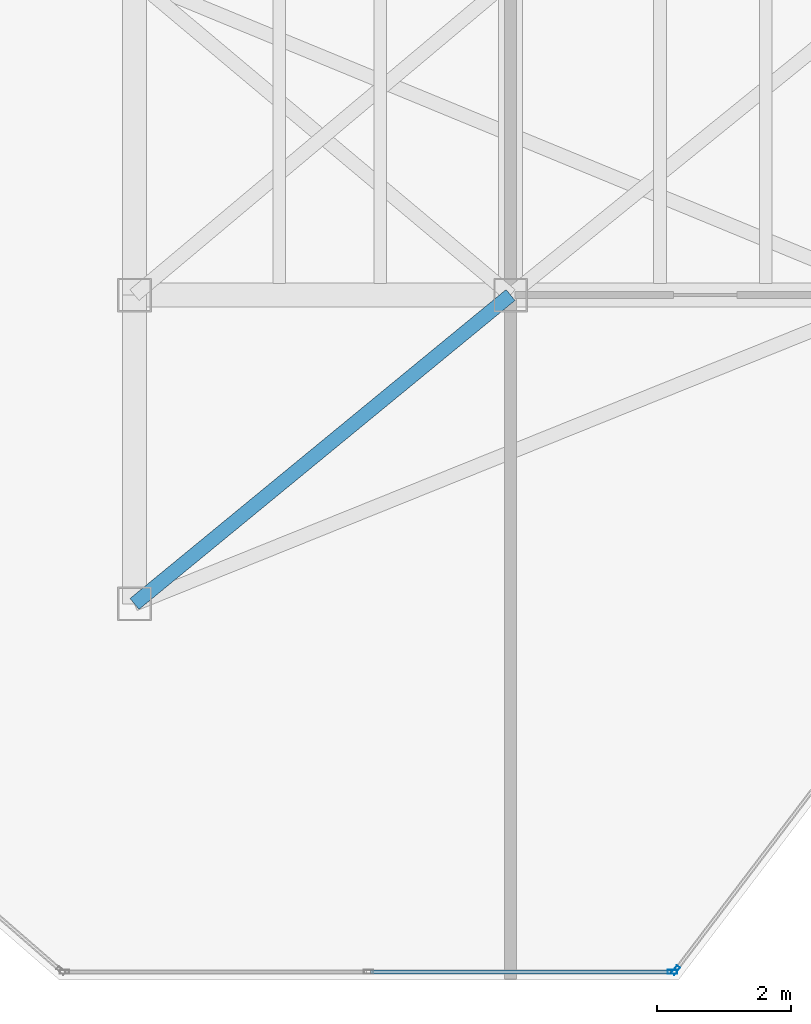
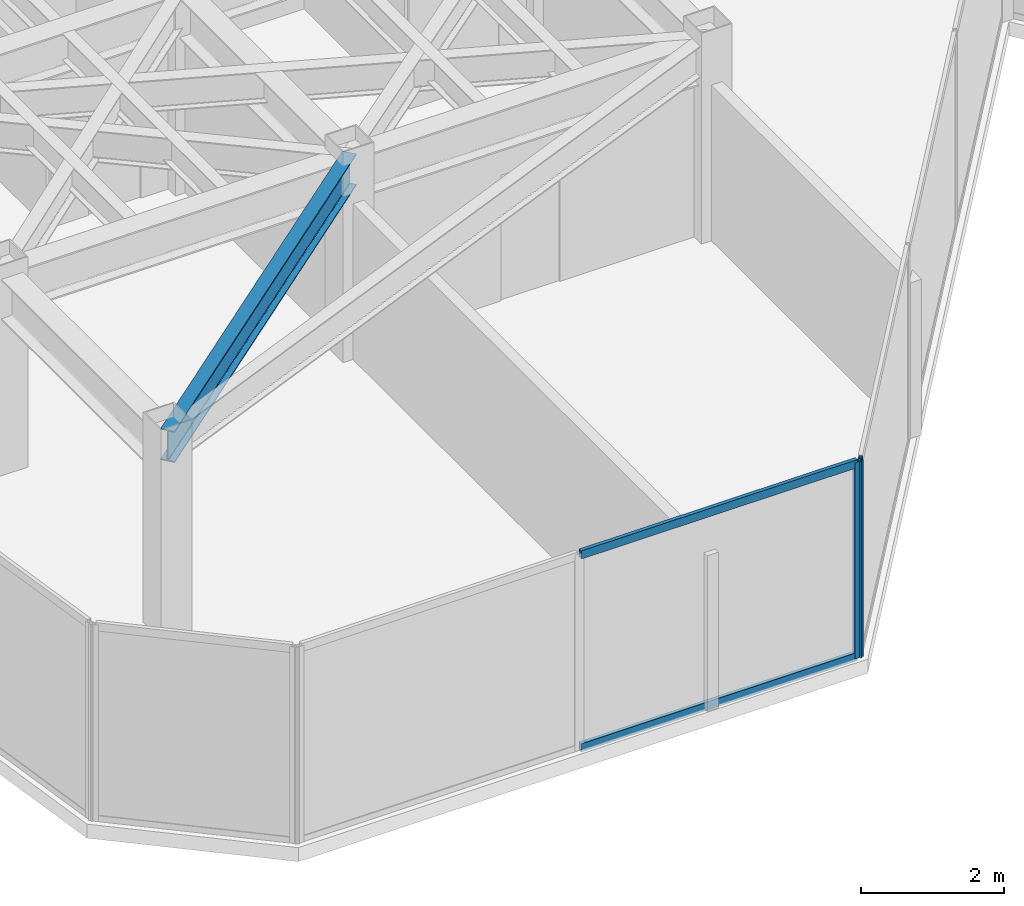
# One storey, part 3 of 20: 4 members, 1 beam, 2 elements without a shape of their own.
"""IFC4 building model written with IfcOpenShell, lengths in metres."""

from ifc_helpers import new_model, si_unit, direction, frame, origin, origin_2d, place, context, subcontext, project, spatial, hollow_rectangle, i_section, extrude, material, layer, layer_set, material_profile, profile_set, type_object, element, aggregate, save


model = new_model("IFC4")

# Units and contexts
model_context = context("Model", 3, precision=1e-05, world=origin(), true_north=direction((0.0, 1.0)))
body_context = subcontext(model_context, "Body", "Model", "MODEL_VIEW")
ifc_project = project(units=[si_unit("LENGTHUNIT", "METRE"), si_unit("AREAUNIT", "SQUARE_METRE"), si_unit("VOLUMEUNIT", "CUBIC_METRE"), si_unit("PLANEANGLEUNIT", "RADIAN"), si_unit("MASSUNIT", "GRAM", prefix="KILO")], contexts=[model_context])

# Site, building, storey
site_placement = place(None, origin())
site = spatial("IfcSite", under=ifc_project, at=site_placement, CompositionType="ELEMENT")
building_placement = place(site_placement, origin())
building = spatial("IfcBuilding", under=site, at=building_placement, Name="Kravanh Interchange Tower", CompositionType="ELEMENT")
storey_placement = place(building_placement, frame((0.0, 0.0, 238.199951171875)))
storey = spatial("IfcBuildingStorey", under=building, at=storey_placement, Name="L57", CompositionType="ELEMENT", Elevation=238.199951171875)

# Curtain wall, member
ifc_material_1 = material(Name="Anodised Bronze Aluminium", Category="aluminium")
ifc_layer = layer(ifc_material_1, 0.179931640625)
ifc_layer_set = layer_set([ifc_layer], Name="Unitised Curtain Wall System CW-HTL Luxury Hotel")
curtain_wall_type = type_object("IfcCurtainWallType", Name="Unitised Curtain Wall System CW-HTL Luxury Hotel", PredefinedType="NOTDEFINED", material=ifc_layer_set)
curtain_wall_1_placement = place(storey_placement, origin())
curtain_wall_1 = element("IfcCurtainWall", 1, at=curtain_wall_1_placement, inside=storey, type_object=curtain_wall_type, Name="L57 Unitised Curtain Wall CW-L57-05", PredefinedType="NOTDEFINED")
ifc_material_2 = material(Name="Anodised Bronze Aluminium", Category="aluminium")
ifc_material_profile_1 = material_profile(ifc_material_2, hollow_rectangle(XDim=0.06005859375, YDim=0.139892578125, WallThickness=0.00390625, at=origin_2d()), Name="ALU60X140X4")
ifc_profile_set_1 = profile_set([ifc_material_profile_1], Name="Anodised Bronze Aluminium")
member_type_1 = type_object("IfcMemberType", Name="Curtain Wall Mullion ALU60X140X4 Bronze", PredefinedType="MULLION", material=ifc_profile_set_1)
member_1_placement = place(storey_placement, frame((35.258544921875, 16.743896484375, 0.0), z_axis=(0.0, 0.0, 1.0), x_axis=(0.79616243806, -0.605082946564, 0.0)))
member_1 = element("IfcMember", 2, at=member_1_placement, type_object=member_type_1, Name="CW-HTL mullion 4", PredefinedType="MULLION", context=body_context, shape_type="SweptSolid", body=[
    extrude(hollow_rectangle(XDim=0.06005859375, YDim=0.139892578125, WallThickness=0.00390625, at=origin_2d()), origin(), (0.0, 0.0, 1.0), 3.360107421875),
])
aggregate(curtain_wall_1, [member_1])

# Curtain wall, members
curtain_wall_2_placement = place(storey_placement, origin())
curtain_wall_2 = element("IfcCurtainWall", 3, at=curtain_wall_2_placement, inside=storey, type_object=curtain_wall_type, Name="L57 Unitised Curtain Wall CW-L57-06", PredefinedType="NOTDEFINED")
member_2_placement = place(storey_placement, frame((35.21044921875, 16.719970703125, 0.0), z_axis=(0.0, 0.0, 1.0), x_axis=(0.0, -1.0, 0.0)))
member_2 = element("IfcMember", 4, at=member_2_placement, type_object=member_type_1, Name="CW-HTL mullion 1", PredefinedType="MULLION", context=body_context, shape_type="SweptSolid", body=[
    extrude(hollow_rectangle(XDim=0.06005859375, YDim=0.139892578125, WallThickness=0.00390625, at=origin_2d()), origin(), (0.0, 0.0, 1.0), 3.360107421875),
])
ifc_material_3 = material(Name="Anodised Bronze Aluminium", Category="aluminium")
ifc_material_profile_2 = material_profile(ifc_material_3, hollow_rectangle(XDim=0.06005859375, YDim=0.139892578125, WallThickness=0.00390625, at=origin_2d()), Name="ALU60X140X4")
ifc_profile_set_2 = profile_set([ifc_material_profile_2], Name="Anodised Bronze Aluminium")
member_type_2 = type_object("IfcMemberType", Name="Curtain Wall Transom ALU60X140X4 Bronze", PredefinedType="USERDEFINED", material=ifc_profile_set_2)
member_3_placement = place(storey_placement, frame((35.180419921875, 16.719970703125, 0.030029296875), z_axis=(-1.0, 0.0, 0.0), x_axis=(0.0, -1.0, 0.0)))
member_3 = element("IfcMember", 5, at=member_3_placement, type_object=member_type_2, Name="CW-HTL transom 1.1", ObjectType="TRANSOM", PredefinedType="USERDEFINED", context=body_context, shape_type="SweptSolid", body=[
    extrude(hollow_rectangle(XDim=0.06005859375, YDim=0.139892578125, WallThickness=0.00390625, at=origin_2d()), origin(), (0.0, 0.0, 1.0), 4.466064453125),
])
member_4_placement = place(storey_placement, frame((35.180419921875, 16.719970703125, 3.330078125), z_axis=(-1.0, 0.0, 0.0), x_axis=(0.0, -1.0, 0.0)))
member_4 = element("IfcMember", 6, at=member_4_placement, type_object=member_type_2, Name="CW-HTL transom 1.2", ObjectType="TRANSOM", PredefinedType="USERDEFINED", context=body_context, shape_type="SweptSolid", body=[
    extrude(hollow_rectangle(XDim=0.06005859375, YDim=0.139892578125, WallThickness=0.00390625, at=origin_2d()), origin(), (0.0, 0.0, 1.0), 4.466064453125),
])
aggregate(curtain_wall_2, [member_2, member_3, member_4])

# Beam
ifc_material_4 = material(Name="Structural Steel S355", Category="steel")
ifc_material_profile_3 = material_profile(ifc_material_4, i_section(OverallWidth=0.2099609375, OverallDepth=0.537109375, WebThickness=0.010986328125, FlangeThickness=0.017333984375, FilletRadius=0.02001953125, at=origin_2d()), Name="W21X68")
ifc_profile_set_3 = profile_set([ifc_material_profile_3], Name="Structural Steel S355")
beam_type = type_object("IfcBeamType", Name="Floor Spandrel W21X68 Structural Steel S355", PredefinedType="SPANDREL", material=ifc_profile_set_3)
beam_placement = place(storey_placement, frame((27.199951171875, 22.199951171875, 3.091552734375), z_axis=(0.772725074305, 0.634740860147, 0.0), x_axis=(-0.634740860147, 0.772725074305, 0.0)))
element("IfcBeam", 7, at=beam_placement, inside=storey, type_object=beam_type, Name="L57 Perimeter Spandrel 41", PredefinedType="SPANDREL", context=body_context, shape_type="SweptSolid", body=[
    extrude(i_section(OverallWidth=0.2099609375, OverallDepth=0.537109375, WebThickness=0.010986328125, FlangeThickness=0.017333984375, FilletRadius=0.02001953125, at=origin_2d()), origin(), (0.0, 0.0, 1.0), 7.247314453125),
])

save(model, "model.ifc")
